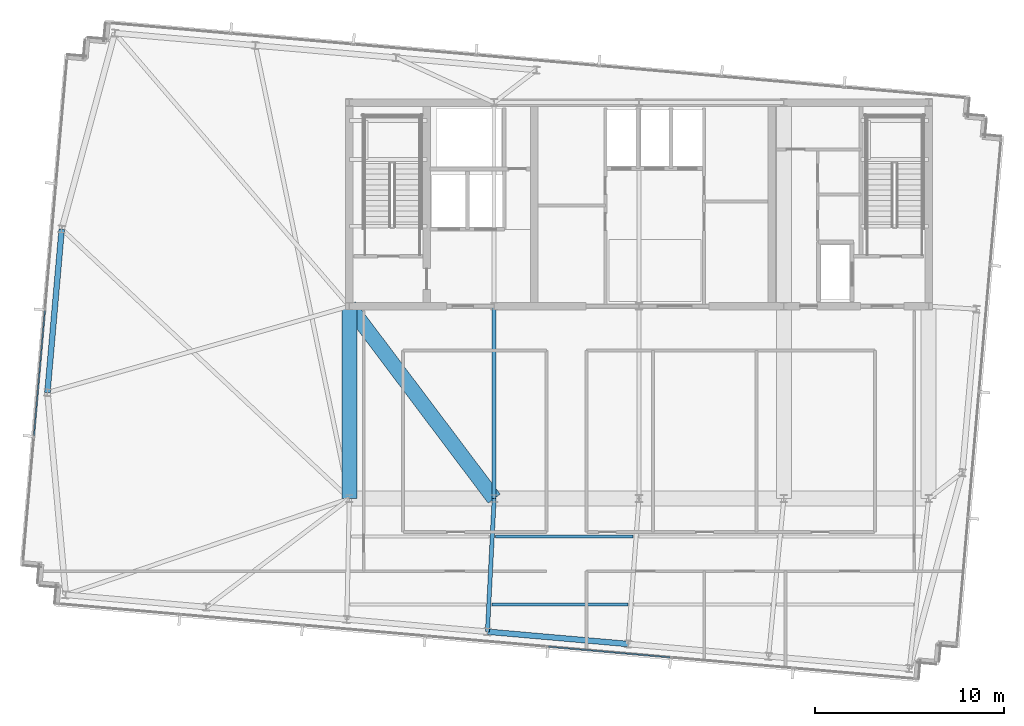
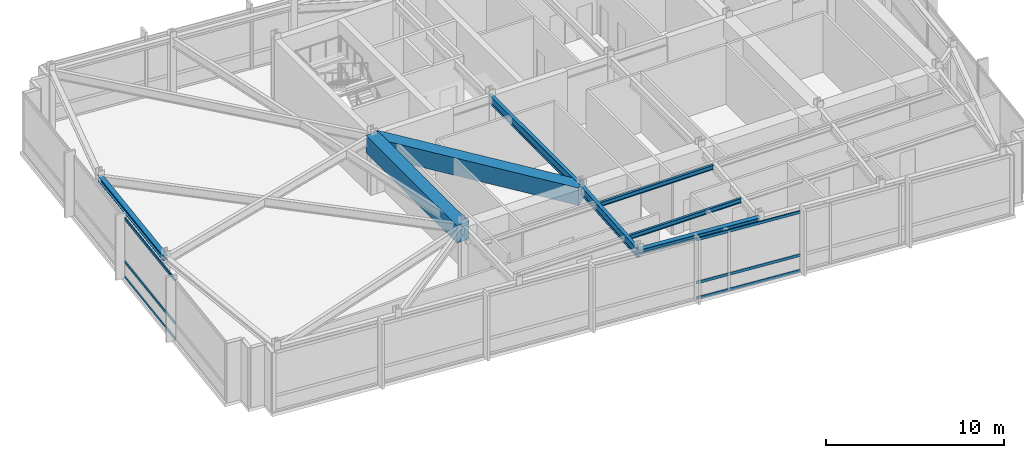
# One storey, part 5 of 25: 8 beams, 6 members, 2 elements without a shape of their own.
"""IFC4 building model written with IfcOpenShell, lengths in metres."""

import ifcopenshell
import ifcopenshell.guid

model = None  # the IFC model being written
_history = None  # IfcOwnerHistory: only IFC2X3 demands one
_inside = {}  # id of a spatial element -> (the spatial element, [elements in it])
_under = {}  # id of a project, library or spatial element -> (it, [spatial elements below it])
_declared = {}  # id of a project -> (the project, [libraries it declares])
_typed = {}  # id of a type object -> (the type object, [elements of that type])
_made_of = {}  # id of a material, layer set ... -> (it, [elements and type objects made of it])


def new_model(schema):
    """Start an empty IFC model of exactly this schema.

    Asked for "IFC4X3", IfcOpenShell would pick the latest addendum, in which some entities
    have other attributes; the version numbers below select the first issue.
    IFC2X3 requires an IfcOwnerHistory on every rooted entity: one is made here for all.
    """
    global model, _history
    if schema == "IFC4X3":
        model = ifcopenshell.file(schema_version=(4, 3, 0, 0))
    else:
        model = ifcopenshell.file(schema=schema)
    _inside.clear()
    _under.clear()
    _declared.clear()
    _typed.clear()
    _made_of.clear()
    _history = None
    if model.schema == "IFC2X3":
        org = make("IfcOrganization", Name="unknown")
        user = make(
            "IfcPersonAndOrganization",
            ThePerson=make("IfcPerson", FamilyName="unknown"),
            TheOrganization=org,
        )
        app = make(
            "IfcApplication",
            ApplicationDeveloper=org,
            Version="unknown",
            ApplicationFullName="unknown",
            ApplicationIdentifier="unknown",
        )
        _history = make(
            "IfcOwnerHistory",
            OwningUser=user,
            OwningApplication=app,
            ChangeAction="ADDED",
            CreationDate=0,
        )
    return model


def make(cls, **values):
    """One entity of the class cls with the attributes given. An attribute that is None is left unset."""
    return model.create_entity(
        cls, **{name: value for name, value in values.items() if value is not None}
    )


def rooted(cls, **values):
    """An entity with a GlobalId (a new one), such as an element, a storey or a relation."""
    return make(cls, GlobalId=ifcopenshell.guid.new(), OwnerHistory=_history, **values)


def si_unit(unit_type, name, prefix=None):
    """IfcSIUnit, for example si_unit("LENGTHUNIT", "METRE", prefix="MILLI")."""
    return make("IfcSIUnit", UnitType=unit_type, Prefix=prefix, Name=name)


def assignment(units):
    """IfcUnitAssignment: the units of a project."""
    return None if units is None else make("IfcUnitAssignment", Units=units)


def point(xyz):
    """IfcCartesianPoint."""
    return None if xyz is None else make("IfcCartesianPoint", Coordinates=xyz)


def direction(xyz):
    """IfcDirection."""
    return None if xyz is None else make("IfcDirection", DirectionRatios=xyz)


def frame(location, z_axis=None, x_axis=None):
    """IfcAxis2Placement3D, a coordinate frame: its origin and axes. An axis left out is left unset."""
    return make(
        "IfcAxis2Placement3D",
        Location=point(location),
        Axis=direction(z_axis),
        RefDirection=direction(x_axis),
    )


def frame_2d(location, x_axis=None):
    """IfcAxis2Placement2D, a coordinate frame in the plane: its origin and x axis."""
    return make(
        "IfcAxis2Placement2D", Location=point(location), RefDirection=direction(x_axis)
    )


def origin():
    """The frame at (0, 0, 0) with its axes left unset."""
    return frame((0.0, 0.0, 0.0))


def origin_2d():
    """The frame at (0, 0) in the plane with its x axis left unset."""
    return frame_2d((0.0, 0.0))


def place(relative_to, where):
    """IfcLocalPlacement: puts the frame where relative to a parent placement (None: the world)."""
    return make(
        "IfcLocalPlacement", PlacementRelTo=relative_to, RelativePlacement=where
    )


def context(
    kind, dimensions, precision=None, world=None, true_north=None, identifier=None
):
    """IfcGeometricRepresentationContext, for example the 3D "Model" context."""
    return make(
        "IfcGeometricRepresentationContext",
        ContextIdentifier=identifier,
        ContextType=kind,
        CoordinateSpaceDimension=dimensions,
        Precision=precision,
        WorldCoordinateSystem=world,
        TrueNorth=true_north,
    )


def subcontext(parent, identifier, kind, view, scale=None):
    """IfcGeometricRepresentationSubContext, for example "Body" below "Model"."""
    return make(
        "IfcGeometricRepresentationSubContext",
        ContextIdentifier=identifier,
        ContextType=kind,
        ParentContext=parent,
        TargetScale=scale,
        TargetView=view,
    )


def project(units=None, contexts=None):
    """IfcProject with its units and contexts."""
    return rooted(
        "IfcProject",
        Name="project",
        RepresentationContexts=contexts,
        UnitsInContext=assignment(units),
    )


def spatial(cls, under=None, at=None, **own):
    """A site, building, storey or space (cls), placed at a placement, below another one or the project."""
    s = rooted(cls, ObjectPlacement=at, **own)
    if under is not None:
        _under.setdefault(under.id(), (under, []))[1].append(s)
    return s


def profile(cls, at=None, kind="AREA", **sizes):
    """A parametric profile (cls). Its sizes go by their IFC names, for example OverallWidth=200.0."""
    return make(cls, ProfileType=kind, Position=at, **sizes)


def rectangle(**sizes):
    """IfcRectangleProfileDef."""
    return profile("IfcRectangleProfileDef", **sizes)


def hollow_rectangle(**sizes):
    """IfcRectangleHollowProfileDef."""
    return profile("IfcRectangleHollowProfileDef", **sizes)


def i_section(**sizes):
    """IfcIShapeProfileDef."""
    return profile("IfcIShapeProfileDef", **sizes)


def extrude(swept, where, along, depth):
    """IfcExtrudedAreaSolid: the profile swept, set in the frame where, extruded along a direction by depth."""
    return make(
        "IfcExtrudedAreaSolid",
        SweptArea=swept,
        Position=where,
        ExtrudedDirection=direction(along),
        Depth=depth,
    )


def shape(context_of_items, identifier, shape_type, items):
    """IfcShapeRepresentation: the items that make up one representation, for example the "Body"."""
    return make(
        "IfcShapeRepresentation",
        ContextOfItems=context_of_items,
        RepresentationIdentifier=identifier,
        RepresentationType=shape_type,
        Items=items,
    )


def material(Name=None, Category=None):
    """IfcMaterial."""
    return make("IfcMaterial", Name=Name, Category=Category)


def material_profile(
    of_material, cross_section, Name=None, Category=None, Priority=None
):
    """IfcMaterialProfile: a cross section and its material."""
    return make(
        "IfcMaterialProfile",
        Name=Name,
        Material=of_material,
        Profile=cross_section,
        Priority=Priority,
        Category=Category,
    )


def profile_set(profiles, Name=None, composite=None):
    """IfcMaterialProfileSet."""
    return make(
        "IfcMaterialProfileSet",
        Name=Name,
        MaterialProfiles=profiles,
        CompositeProfile=composite,
    )


def made_of(thing, what):
    """Note that an element or type object is made of a material, layer set ...; save() writes the relation."""
    if what is not None:
        _made_of.setdefault(what.id(), (what, []))[1].append(thing)
    return thing


def type_object(cls, material=None, **own):
    """A type object (cls), such as IfcWallType, which elements share."""
    return made_of(rooted(cls, **own), material)


def element(
    cls,
    number,
    at=None,
    inside=None,
    cuts=None,
    type_object=None,
    material=None,
    context=None,
    identifier="Body",
    shape_type=None,
    held_by="IfcProductDefinitionShape",
    body=None,
    shapes=None,
    **own,
):
    """One element of the class cls, such as IfcWall. Its Tag is "e" and its number.

    at: its placement. inside: the storey or other place that contains it. cuts: it is an
    opening in that element (IfcRelVoidsElement). A single representation is given by context,
    identifier, shape_type and body (its items); several are given by shapes. held_by: the class
    of the entity that holds the representations. save() writes the other relations.
    """
    e = rooted(cls, Tag="e%d" % number, ObjectPlacement=at, **own)
    if body is not None:
        shapes = [shape(context, identifier, shape_type, body)]
    if shapes is not None:
        e.Representation = make(held_by, Representations=shapes)
    if inside is not None:
        _inside.setdefault(inside.id(), (inside, []))[1].append(e)
    if cuts is not None:
        rooted(
            "IfcRelVoidsElement", RelatingBuildingElement=cuts, RelatedOpeningElement=e
        )
    if type_object is not None:
        _typed.setdefault(type_object.id(), (type_object, []))[1].append(e)
    return made_of(e, material)


def aggregate(whole, parts):
    """IfcRelAggregates: a whole, such as a stair, and the parts it consists of."""
    return rooted("IfcRelAggregates", RelatingObject=whole, RelatedObjects=parts)


def save(model, path):
    """Write the relations noted so far, then the file.

    IfcRelAggregates (storeys below a building ...), IfcRelContainedInSpatialStructure (elements
    in a storey), IfcRelDefinesByType, IfcRelAssociatesMaterial and IfcRelDeclares: one each for
    every whole, place, type object, material and project.
    """
    for whole, parts in _under.values():
        aggregate(whole, parts)
    for where, things in _inside.values():
        rooted(
            "IfcRelContainedInSpatialStructure",
            RelatedElements=things,
            RelatingStructure=where,
        )
    for kind, things in _typed.values():
        rooted("IfcRelDefinesByType", RelatedObjects=things, RelatingType=kind)
    for what, things in _made_of.values():
        rooted("IfcRelAssociatesMaterial", RelatedObjects=things, RelatingMaterial=what)
    for by, libraries in _declared.values():
        rooted("IfcRelDeclares", RelatingContext=by, RelatedDefinitions=libraries)
    model.write(path)


model = new_model("IFC4")

# Units and contexts
model_context = context("Model", 3, precision=1e-05, world=origin(), true_north=direction((0.0, 1.0)))
body_context = subcontext(model_context, "Body", "Model", "MODEL_VIEW")
ifc_project = project(units=[si_unit("LENGTHUNIT", "METRE"), si_unit("AREAUNIT", "SQUARE_METRE"), si_unit("VOLUMEUNIT", "CUBIC_METRE"), si_unit("PLANEANGLEUNIT", "RADIAN"), si_unit("MASSUNIT", "GRAM", prefix="KILO")], contexts=[model_context])

# Site, building, storey
site_placement = place(None, origin())
site = spatial("IfcSite", under=ifc_project, at=site_placement, CompositionType="ELEMENT")
building_placement = place(site_placement, origin())
building = spatial("IfcBuilding", under=site, at=building_placement, Name="Yelkora Congress Tower", CompositionType="ELEMENT")
storey_placement = place(building_placement, frame((0.0, 0.0, 299.89990234375)))
storey = spatial("IfcBuildingStorey", under=building, at=storey_placement, Name="L84", CompositionType="ELEMENT", Elevation=299.89990234375)

# Beams
ifc_material_1 = material(Name="Steel S355J2", Category="steel")
ifc_material_profile_1 = material_profile(ifc_material_1, i_section(OverallWidth=0.219970703125, OverallDepth=0.60009765625, WebThickness=0.011962890625, FlangeThickness=0.01904296875, FilletRadius=0.02392578125, at=origin_2d()), Name="IPE 600")
ifc_profile_set_1 = profile_set([ifc_material_profile_1], Name="Steel S355J2")
beam_type_1 = type_object("IfcBeamType", Name="BM-GIRD-IPE600", PredefinedType="BEAM", material=ifc_profile_set_1)
beam_1_placement = place(storey_placement, frame((30.719970703125, 25.199951171875, 3.780029296875), z_axis=(0.0, 1.0, 0.0), x_axis=(-1.0, 0.0, 0.0)))
element("IfcBeam", 1, at=beam_1_placement, inside=storey, type_object=beam_type_1, Name="L84 Core Tie Girder MC-D2", PredefinedType="BEAM", context=body_context, shape_type="SweptSolid", body=[
    extrude(i_section(OverallWidth=0.219970703125, OverallDepth=0.60009765625, WebThickness=0.011962890625, FlangeThickness=0.01904296875, FilletRadius=0.02392578125, at=origin_2d()), origin(), (0.0, 0.0, 1.0), 10.199951171875),
])
beam_2_placement = place(storey_placement, frame((30.362548828125, 18.14111328125, 3.780029296875), z_axis=(0.050569876836, 0.998720525251, 0.0), x_axis=(-0.998720525251, 0.050569876836, 0.0)))
element("IfcBeam", 2, at=beam_2_placement, inside=storey, type_object=beam_type_1, Name="L84 Primary Frame Girder S04", PredefinedType="BEAM", context=body_context, shape_type="SweptSolid", body=[
    extrude(i_section(OverallWidth=0.219970703125, OverallDepth=0.60009765625, WebThickness=0.011962890625, FlangeThickness=0.01904296875, FilletRadius=0.02392578125, at=origin_2d()), origin(), (0.0, 0.0, 1.0), 7.06787109375),
])
ifc_material_profile_2 = material_profile(ifc_material_1, i_section(OverallWidth=0.14990234375, OverallDepth=0.300048828125, WebThickness=0.007080078125, FlangeThickness=0.0107421875, FilletRadius=0.014892578125, at=origin_2d()), Name="IPE 300")
ifc_profile_set_2 = profile_set([ifc_material_profile_2], Name="Steel S355J2")
beam_type_2 = type_object("IfcBeamType", Name="BM-JOIST-IPE300", PredefinedType="JOIST", material=ifc_profile_set_2)
beam_3_placement = place(storey_placement, frame((30.595703125, 19.58447265625, 3.93017578125), z_axis=(1.0, 0.0, 0.0), x_axis=(0.0, 1.0, 0.0)))
element("IfcBeam", 3, at=beam_3_placement, inside=storey, type_object=beam_type_2, Name="L84 Composite Floor Joist 2", PredefinedType="JOIST", context=body_context, shape_type="SweptSolid", body=[
    extrude(i_section(OverallWidth=0.14990234375, OverallDepth=0.300048828125, WebThickness=0.007080078125, FlangeThickness=0.0107421875, FilletRadius=0.014892578125, at=origin_2d()), origin(), (0.0, 0.0, 1.0), 7.219970703125),
])
beam_4_placement = place(storey_placement, frame((30.778076171875, 23.1845703125, 3.93017578125), z_axis=(1.0, 0.0, 0.0), x_axis=(0.0, 1.0, 0.0)))
element("IfcBeam", 4, at=beam_4_placement, inside=storey, type_object=beam_type_2, Name="L84 Composite Floor Joist 6", PredefinedType="JOIST", context=body_context, shape_type="SweptSolid", body=[
    extrude(i_section(OverallWidth=0.14990234375, OverallDepth=0.300048828125, WebThickness=0.007080078125, FlangeThickness=0.0107421875, FilletRadius=0.014892578125, at=origin_2d()), origin(), (0.0, 0.0, 1.0), 7.3095703125),
])
ifc_material_profile_3 = material_profile(ifc_material_1, i_section(OverallWidth=0.300048828125, OverallDepth=0.340087890625, WebThickness=0.011962890625, FlangeThickness=0.021484375, FilletRadius=0.027099609375, at=origin_2d()), Name="HEB 340")
ifc_profile_set_3 = profile_set([ifc_material_profile_3], Name="Steel S355J2")
beam_type_3 = type_object("IfcBeamType", Name="BM-SPAN-HEB340", PredefinedType="SPANDREL", material=ifc_profile_set_3)
beam_5_placement = place(storey_placement, frame((30.362548828125, 18.14111328125, 3.91015625), z_axis=(0.99619601894, -0.087140644067, 0.0), x_axis=(0.087140644067, 0.99619601894, 0.0)))
element("IfcBeam", 5, at=beam_5_placement, inside=storey, type_object=beam_type_3, Name="L84 Perimeter Beam 4", PredefinedType="SPANDREL", context=body_context, shape_type="SweptSolid", body=[
    extrude(i_section(OverallWidth=0.300048828125, OverallDepth=0.340087890625, WebThickness=0.011962890625, FlangeThickness=0.021484375, FilletRadius=0.027099609375, at=origin_2d()), origin(), (0.0, 0.0, 1.0), 7.4833984375),
])
beam_6_placement = place(storey_placement, frame((7.787353515625, 39.489990234375, 3.91015625), z_axis=(-0.08715998813, -0.99619432666, 0.0), x_axis=(0.99619432666, -0.08715998813, 0.0)))
element("IfcBeam", 6, at=beam_6_placement, inside=storey, type_object=beam_type_3, Name="L84 Perimeter Beam 14", PredefinedType="SPANDREL", context=body_context, shape_type="SweptSolid", body=[
    extrude(i_section(OverallWidth=0.300048828125, OverallDepth=0.340087890625, WebThickness=0.011962890625, FlangeThickness=0.021484375, FilletRadius=0.027099609375, at=origin_2d()), origin(), (0.0, 0.0, 1.0), 8.7001953125),
])
ifc_material_2 = material(Name="Concrete C60/75", Category="concrete")
ifc_material_profile_4 = material_profile(ifc_material_2, rectangle(XDim=0.800048828125, YDim=1.199951171875, at=origin_2d()), Name="RC 800x1200")
ifc_profile_set_4 = profile_set([ifc_material_profile_4], Name="Concrete C60/75")
beam_type_4 = type_object("IfcBeamType", Name="BM-XFER-RC1200", PredefinedType="BEAM", material=ifc_profile_set_4)
beam_7_placement = place(storey_placement, frame((23.0400390625, 35.39990234375, 3.47998046875), z_axis=(0.0, -1.0, 0.0), x_axis=(1.0, 0.0, 0.0)))
element("IfcBeam", 7, at=beam_7_placement, inside=storey, type_object=beam_type_4, Name="L84 Transfer Backspan Girder CRN-C09", PredefinedType="BEAM", context=body_context, shape_type="SweptSolid", body=[
    extrude(rectangle(XDim=0.800048828125, YDim=1.199951171875, at=origin_2d()), origin(), (0.0, 0.0, 1.0), 10.199951171875),
])
beam_8_placement = place(storey_placement, frame((23.0400390625, 35.39990234375, 3.47998046875), z_axis=(0.601501117531, -0.798871958207, 0.0), x_axis=(0.798871958207, 0.601501117531, 0.0)))
element("IfcBeam", 8, at=beam_8_placement, inside=storey, type_object=beam_type_4, Name="L84 Transfer Backspan Girder CRN-C10", PredefinedType="BEAM", context=body_context, shape_type="SweptSolid", body=[
    extrude(rectangle(XDim=0.800048828125, YDim=1.199951171875, at=origin_2d()), origin(), (0.0, 0.0, 1.0), 12.767822265625),
])

# Curtain wall, members
ifc_material_3 = material(Name="Anodised aluminium and insulated glass", Category="aluminium")
curtain_wall_type = type_object("IfcCurtainWallType", Name="CW-SYS-SKY", PredefinedType="NOTDEFINED", material=ifc_material_3)
curtain_wall_1_placement = place(storey_placement, origin())
curtain_wall_1 = element("IfcCurtainWall", 9, at=curtain_wall_1_placement, inside=storey, type_object=curtain_wall_type, Name="L84 Unitised Curtain Wall 5", PredefinedType="NOTDEFINED")
ifc_material_4 = material(Name="Anodised aluminium 6063-T6", Category="aluminium")
ifc_material_profile_5 = material_profile(ifc_material_4, hollow_rectangle(XDim=0.070068359375, YDim=0.18994140625, WallThickness=0.00390625, at=origin_2d()), Name="ALU 70x190x4")
ifc_profile_set_5 = profile_set([ifc_material_profile_5], Name="Anodised aluminium 6063-T6")
member_type = type_object("IfcMemberType", Name="MEM-TR-SKY", PredefinedType="USERDEFINED", material=ifc_profile_set_5)
member_1_placement = place(storey_placement, frame((6.31689453125, 28.533935546875, 0.03515625), z_axis=(0.08716467486, 0.996193916593, 0.0), x_axis=(-0.996193916593, 0.08716467486, 0.0)))
member_1 = element("IfcMember", 10, at=member_1_placement, type_object=member_type, Name="CW-SKY transom 2.1", ObjectType="TRANSOM", PredefinedType="USERDEFINED", context=body_context, shape_type="SweptSolid", body=[
    extrude(hollow_rectangle(XDim=0.070068359375, YDim=0.18994140625, WallThickness=0.00390625, at=origin_2d()), origin(), (0.0, 0.0, 1.0), 6.655029296875),
])
member_2_placement = place(storey_placement, frame((6.31689453125, 28.533935546875, 1.10009765625), z_axis=(0.08716467486, 0.996193916593, 0.0), x_axis=(-0.996193916593, 0.08716467486, 0.0)))
member_2 = element("IfcMember", 11, at=member_2_placement, type_object=member_type, Name="CW-SKY transom 2.2", ObjectType="TRANSOM", PredefinedType="USERDEFINED", context=body_context, shape_type="SweptSolid", body=[
    extrude(hollow_rectangle(XDim=0.070068359375, YDim=0.18994140625, WallThickness=0.00390625, at=origin_2d()), origin(), (0.0, 0.0, 1.0), 6.655029296875),
])
member_3_placement = place(storey_placement, frame((6.31689453125, 28.533935546875, 4.045166015625), z_axis=(0.08716467486, 0.996193916593, 0.0), x_axis=(-0.996193916593, 0.08716467486, 0.0)))
member_3 = element("IfcMember", 12, at=member_3_placement, type_object=member_type, Name="CW-SKY transom 2.3", ObjectType="TRANSOM", PredefinedType="USERDEFINED", context=body_context, shape_type="SweptSolid", body=[
    extrude(hollow_rectangle(XDim=0.070068359375, YDim=0.18994140625, WallThickness=0.00390625, at=origin_2d()), origin(), (0.0, 0.0, 1.0), 6.655029296875),
])
aggregate(curtain_wall_1, [member_1, member_2, member_3])

curtain_wall_2_placement = place(storey_placement, origin())
curtain_wall_2 = element("IfcCurtainWall", 13, at=curtain_wall_2_placement, inside=storey, type_object=curtain_wall_type, Name="L84 Unitised Curtain Wall 20", PredefinedType="NOTDEFINED")
member_4_placement = place(storey_placement, frame((40.04052734375, 16.782470703125, 0.03515625), z_axis=(-0.996194045855, 0.087163197529, 0.0), x_axis=(-0.087163197529, -0.996194045855, 0.0)))
member_4 = element("IfcMember", 14, at=member_4_placement, type_object=member_type, Name="CW-SKY transom 3.1", ObjectType="TRANSOM", PredefinedType="USERDEFINED", context=body_context, shape_type="SweptSolid", body=[
    extrude(hollow_rectangle(XDim=0.070068359375, YDim=0.18994140625, WallThickness=0.00390625, at=origin_2d()), origin(), (0.0, 0.0, 1.0), 6.456298828125),
])
member_5_placement = place(storey_placement, frame((40.04052734375, 16.782470703125, 1.10009765625), z_axis=(-0.996194045855, 0.087163197529, 0.0), x_axis=(-0.087163197529, -0.996194045855, 0.0)))
member_5 = element("IfcMember", 15, at=member_5_placement, type_object=member_type, Name="CW-SKY transom 3.2", ObjectType="TRANSOM", PredefinedType="USERDEFINED", context=body_context, shape_type="SweptSolid", body=[
    extrude(hollow_rectangle(XDim=0.070068359375, YDim=0.18994140625, WallThickness=0.00390625, at=origin_2d()), origin(), (0.0, 0.0, 1.0), 6.456298828125),
])
member_6_placement = place(storey_placement, frame((40.04052734375, 16.782470703125, 4.045166015625), z_axis=(-0.996194045855, 0.087163197529, 0.0), x_axis=(-0.087163197529, -0.996194045855, 0.0)))
member_6 = element("IfcMember", 16, at=member_6_placement, type_object=member_type, Name="CW-SKY transom 3.3", ObjectType="TRANSOM", PredefinedType="USERDEFINED", context=body_context, shape_type="SweptSolid", body=[
    extrude(hollow_rectangle(XDim=0.070068359375, YDim=0.18994140625, WallThickness=0.00390625, at=origin_2d()), origin(), (0.0, 0.0, 1.0), 6.456298828125),
])
aggregate(curtain_wall_2, [member_4, member_5, member_6])

save(model, "model.ifc")
